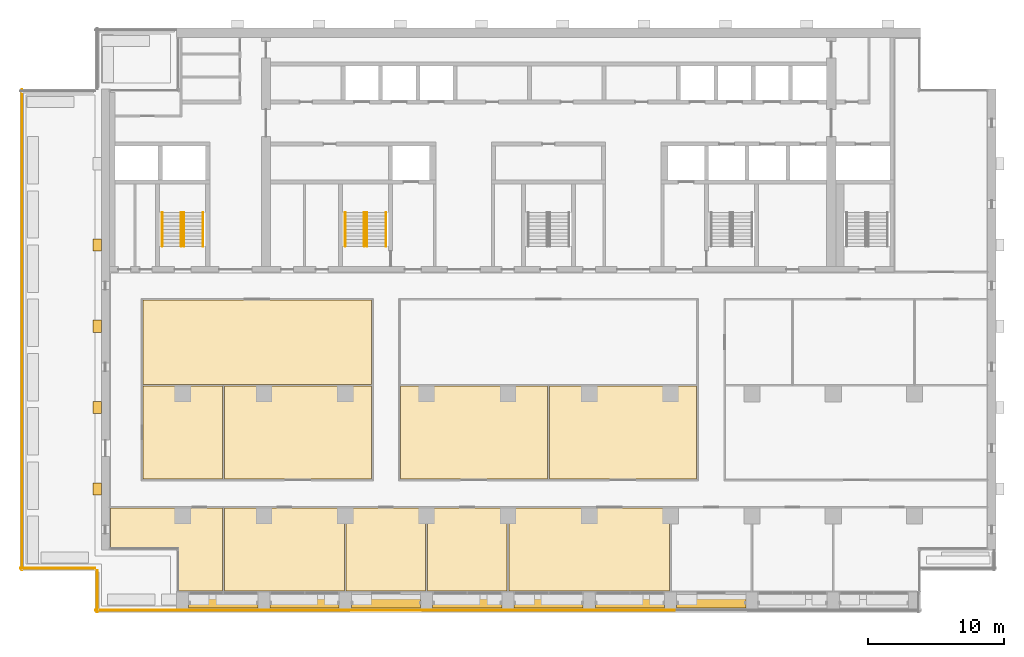
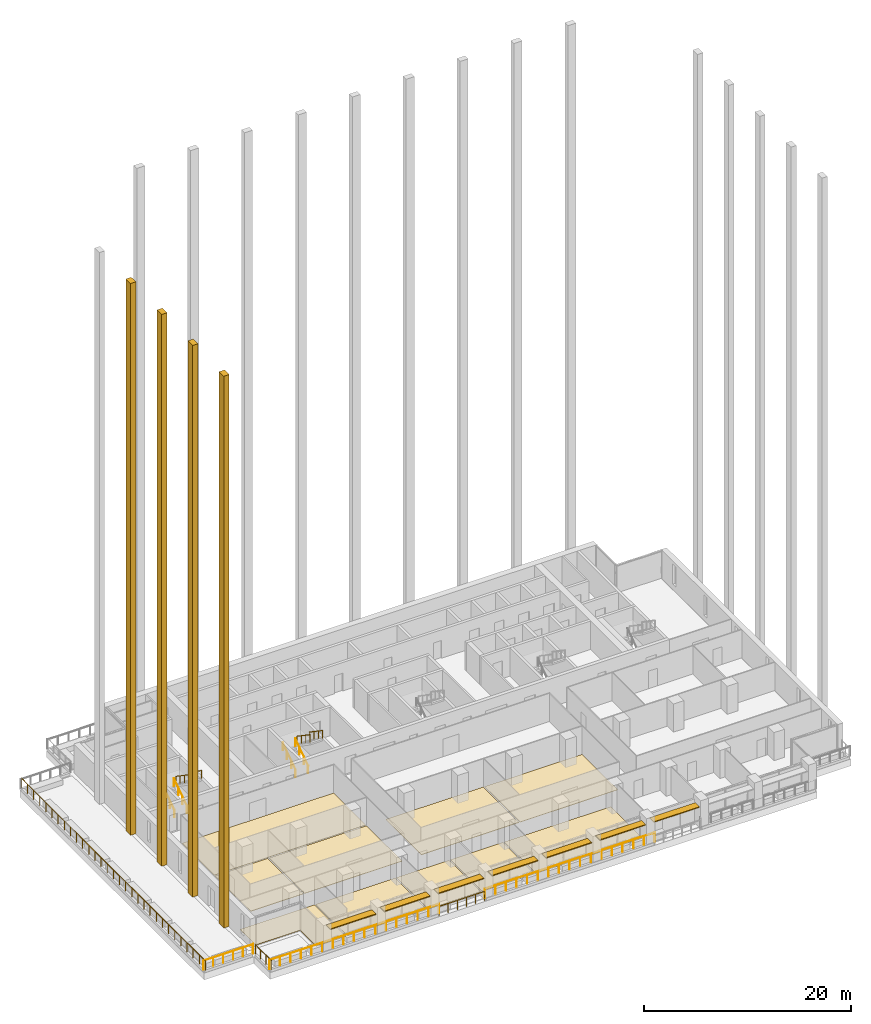
# One storey, part 16 of 19: 14 coverings, 14 railings, 7 shading devices, 2 elements without a shape of their own.
"""IFC4 building model written with IfcOpenShell, lengths in metres."""

from ifc_helpers import new_model, si_unit, direction, frame, origin, origin_2d, place, context, subcontext, project, spatial, polyline, rectangle, circle, outline, extrude, material, layer, layer_set, material_profile, profile_set, type_object, element, aggregate, save


model = new_model("IFC4")

# Units and contexts
model_context = context("Model", 3, precision=1e-05, world=origin(), true_north=direction((0.0, 1.0)))
body_context = subcontext(model_context, "Body", "Model", "MODEL_VIEW")
ifc_project = project(units=[si_unit("LENGTHUNIT", "METRE"), si_unit("AREAUNIT", "SQUARE_METRE"), si_unit("VOLUMEUNIT", "CUBIC_METRE"), si_unit("PLANEANGLEUNIT", "RADIAN"), si_unit("MASSUNIT", "GRAM", prefix="KILO")], contexts=[model_context])

# Site, building, storey
site_placement = place(None, origin())
site = spatial("IfcSite", under=ifc_project, at=site_placement, CompositionType="ELEMENT")
building_placement = place(site_placement, origin())
building = spatial("IfcBuilding", under=site, at=building_placement, Name="Calvaro Tower", CompositionType="ELEMENT")
storey_placement = place(building_placement, frame((0.0, 0.0, 166.75)))
storey = spatial("IfcBuildingStorey", under=building, at=storey_placement, Name="L41", CompositionType="ELEMENT", Elevation=166.75)

# Shading devices
ifc_material_1 = material(Name="Anodised aluminium", Category="aluminium")
ifc_material_profile = material_profile(ifc_material_1, rectangle(XDim=0.800048828125, YDim=0.10009765625, at=origin_2d()), Name="Brise-soleil blade 800 x 100")
ifc_profile_set = profile_set([ifc_material_profile], Name="Anodised aluminium")
shading_device_type = type_object("IfcShadingDeviceType", Name="Brise-soleil blade 800 x 100", PredefinedType="JALOUSIE", material=ifc_profile_set)
for number, where, z_axis, x_axis, name in (
    (1, (12.449951171875, 3.60009765625, 2.5), (1.0, 0.0, 0.0), (0.0, 1.0, 0.0), "Brise-soleil blade 1"),
    (2, (18.449951171875, 3.60009765625, 2.5), (1.0, 0.0, 0.0), (0.0, 1.0, 0.0), "Brise-soleil blade 2"),
    (3, (24.449951171875, 3.60009765625, 2.5), (1.0, 0.0, 0.0), (0.0, 1.0, 0.0), "Brise-soleil blade 3"),
    (4, (30.449951171875, 3.60009765625, 2.5), (1.0, 0.0, 0.0), (0.0, 1.0, 0.0), "Brise-soleil blade 4"),
    (5, (36.449951171875, 3.60009765625, 2.5), (1.0, 0.0, 0.0), (0.0, 1.0, 0.0), "Brise-soleil blade 5"),
    (6, (42.449951171875, 3.60009765625, 2.5), (1.0, 0.0, 0.0), (0.0, 1.0, 0.0), "Brise-soleil blade 6"),
    (7, (48.449951171875, 3.60009765625, 2.5), (1.0, 0.0, 0.0), (0.0, 1.0, 0.0), "Brise-soleil blade 7"),
):
    element("IfcShadingDevice", number, at=place(storey_placement, frame(where, z_axis=z_axis, x_axis=x_axis)), inside=storey, type_object=shading_device_type, Name=name, PredefinedType="JALOUSIE", context=body_context, shape_type="SweptSolid", body=[
        extrude(rectangle(XDim=0.800048828125, YDim=0.10009765625, at=origin_2d()), origin(), (0.0, 0.0, 1.0), 5.10009765625),
    ])

# Coverings
ifc_material_2 = material(Name="Cement screed with carpet tile finish")
ifc_layer_1 = layer(ifc_material_2, 0.050048828125)
ifc_layer_set_1 = layer_set([ifc_layer_1], Name="Cement screed with carpet tile finish")
covering_type_1 = type_object("IfcCoveringType", Name="Floor finish 50", PredefinedType="FLOORING", material=ifc_layer_set_1)
covering_1_placement = place(storey_placement, origin())
element("IfcCovering", 8, at=covering_1_placement, inside=storey, type_object=covering_type_1, Name="Floor finish 42.09", PredefinedType="FLOORING", context=body_context, shape_type="SweptSolid", body=[
    extrude(outline(polyline([(11.6201171875, 7.570068359375), (6.669921875, 7.570068359375), (6.669921875, 10.580078125), (14.929931640625, 10.580078125), (14.929931640625, 4.469970703125), (11.6201171875, 4.469970703125), (11.6201171875, 7.570068359375)])), origin(), (0.0, 0.0, 1.0), 0.050048828125),
])
covering_2_placement = place(storey_placement, origin())
element("IfcCovering", 9, at=covering_2_placement, inside=storey, type_object=covering_type_1, Name="Floor finish 42.02", PredefinedType="FLOORING", context=body_context, shape_type="SweptSolid", body=[
    extrude(outline(polyline([(15.070068359375, 4.469970703125), (15.070068359375, 10.580078125), (23.929931640625, 10.580078125), (23.929931640625, 4.469970703125), (15.070068359375, 4.469970703125)])), origin(), (0.0, 0.0, 1.0), 0.050048828125),
])
covering_3_placement = place(storey_placement, origin())
element("IfcCovering", 10, at=covering_3_placement, inside=storey, type_object=covering_type_1, Name="Floor finish 42.04", PredefinedType="FLOORING", context=body_context, shape_type="SweptSolid", body=[
    extrude(outline(polyline([(30.070068359375, 4.469970703125), (30.070068359375, 10.580078125), (35.929931640625, 10.580078125), (35.929931640625, 4.469970703125), (30.070068359375, 4.469970703125)])), origin(), (0.0, 0.0, 1.0), 0.050048828125),
])
covering_4_placement = place(storey_placement, origin())
element("IfcCovering", 11, at=covering_4_placement, inside=storey, type_object=covering_type_1, Name="Floor finish 42.05", PredefinedType="FLOORING", context=body_context, shape_type="SweptSolid", body=[
    extrude(outline(polyline([(36.070068359375, 4.469970703125), (36.070068359375, 10.580078125), (47.929931640625, 10.580078125), (47.929931640625, 4.469970703125), (36.070068359375, 4.469970703125)])), origin(), (0.0, 0.0, 1.0), 0.050048828125),
])
covering_5_placement = place(storey_placement, origin())
element("IfcCovering", 12, at=covering_5_placement, inside=storey, type_object=covering_type_1, Name="Floor finish 42.10", PredefinedType="FLOORING", context=body_context, shape_type="SweptSolid", body=[
    extrude(outline(polyline([(14.929931640625, 19.580078125), (14.929931640625, 12.719970703125), (9.070068359375, 12.719970703125), (9.070068359375, 19.580078125), (14.929931640625, 19.580078125)])), origin(), (0.0, 0.0, 1.0), 0.050048828125),
])
covering_6_placement = place(storey_placement, origin())
element("IfcCovering", 13, at=covering_6_placement, inside=storey, type_object=covering_type_1, Name="Floor finish 42.11", PredefinedType="FLOORING", context=body_context, shape_type="SweptSolid", body=[
    extrude(outline(polyline([(25.929931640625, 12.719970703125), (15.070068359375, 12.719970703125), (15.070068359375, 19.580078125), (25.929931640625, 19.580078125), (25.929931640625, 12.719970703125)])), origin(), (0.0, 0.0, 1.0), 0.050048828125),
])
covering_7_placement = place(storey_placement, origin())
element("IfcCovering", 14, at=covering_7_placement, inside=storey, type_object=covering_type_1, Name="Floor finish 42.15", PredefinedType="FLOORING", context=body_context, shape_type="SweptSolid", body=[
    extrude(outline(polyline([(25.929931640625, 25.929931640625), (25.929931640625, 19.719970703125), (9.070068359375, 19.719970703125), (9.070068359375, 25.929931640625), (25.929931640625, 25.929931640625)])), origin(), (0.0, 0.0, 1.0), 0.050048828125),
])
covering_8_placement = place(storey_placement, origin())
element("IfcCovering", 15, at=covering_8_placement, inside=storey, type_object=covering_type_1, Name="Floor finish 42.12", PredefinedType="FLOORING", context=body_context, shape_type="SweptSolid", body=[
    extrude(outline(polyline([(38.929931640625, 12.719970703125), (28.070068359375, 12.719970703125), (28.070068359375, 19.580078125), (38.929931640625, 19.580078125), (38.929931640625, 12.719970703125)])), origin(), (0.0, 0.0, 1.0), 0.050048828125),
])
covering_9_placement = place(storey_placement, origin())
element("IfcCovering", 16, at=covering_9_placement, inside=storey, type_object=covering_type_1, Name="Floor finish 42.13", PredefinedType="FLOORING", context=body_context, shape_type="SweptSolid", body=[
    extrude(outline(polyline([(49.929931640625, 12.719970703125), (39.070068359375, 12.719970703125), (39.070068359375, 19.580078125), (49.929931640625, 19.580078125), (49.929931640625, 12.719970703125)])), origin(), (0.0, 0.0, 1.0), 0.050048828125),
])
covering_10_placement = place(storey_placement, origin())
element("IfcCovering", 17, at=covering_10_placement, inside=storey, type_object=covering_type_1, Name="Floor finish 42.03", PredefinedType="FLOORING", context=body_context, shape_type="SweptSolid", body=[
    extrude(outline(polyline([(29.929931640625, 10.580078125), (29.929931640625, 4.469970703125), (24.070068359375, 4.469970703125), (24.070068359375, 10.580078125), (29.929931640625, 10.580078125)])), origin(), (0.0, 0.0, 1.0), 0.050048828125),
])

# Railings
ifc_material_3 = material(Name="Stainless steel", Category="steel")
railing_type_1 = type_object("IfcRailingType", Name="Guard 1100", PredefinedType="GUARDRAIL", material=ifc_material_3)
railing_1_placement = place(storey_placement, frame((5.699951171875, 2.89990234375, 0.300048828125)))
element("IfcRailing", 18, at=railing_1_placement, inside=storey, type_object=railing_type_1, Name="Terrace guard", PredefinedType="GUARDRAIL", context=body_context, shape_type="SweptSolid", body=[
    extrude(circle(Radius=0.02392578125, at=origin_2d()), frame((0.0, 0.0, 1.076171875), z_axis=(0.0, 1.0, 0.0), x_axis=(-1.0, 0.0, 0.0)), (0.0, 0.0, 1.0), 3.10009765625),
    extrude(circle(Radius=0.02099609375, at=origin_2d()), frame((0.0, 0.02099609375, 0.0)), (0.0, 0.0, 1.0), 1.052001953125),
    extrude(circle(Radius=0.02099609375, at=origin_2d()), frame((0.0, 1.033447265625, 0.0)), (0.0, 0.0, 1.0), 1.052001953125),
    extrude(circle(Radius=0.02099609375, at=origin_2d()), frame((0.0, 2.066650390625, 0.0)), (0.0, 0.0, 1.0), 1.052001953125),
    extrude(circle(Radius=0.02099609375, at=origin_2d()), frame((0.0, 3.0791015625, 0.0)), (0.0, 0.0, 1.0), 1.052001953125),
])
railing_2_placement = place(storey_placement, frame((5.550048828125, 6.14990234375, 0.300048828125)))
element("IfcRailing", 19, at=railing_2_placement, inside=storey, type_object=railing_type_1, Name="Terrace guard", PredefinedType="GUARDRAIL", context=body_context, shape_type="SweptSolid", body=[
    extrude(circle(Radius=0.02392578125, at=origin_2d()), frame((0.0, 0.0, 1.076171875), z_axis=(-1.0, 0.0, 0.0), x_axis=(0.0, -1.0, 0.0)), (0.0, 0.0, 1.0), 5.550048828125),
    extrude(circle(Radius=0.02099609375, at=origin_2d()), frame((-0.02099609375, 0.0, 0.0)), (0.0, 0.0, 1.0), 1.052001953125),
    extrude(circle(Radius=0.02099609375, at=origin_2d()), frame((-1.110107421875, 0.0, 0.0)), (0.0, 0.0, 1.0), 1.052001953125),
    extrude(circle(Radius=0.02099609375, at=origin_2d()), frame((-2.219970703125, 0.0, 0.0)), (0.0, 0.0, 1.0), 1.052001953125),
    extrude(circle(Radius=0.02099609375, at=origin_2d()), frame((-3.330078125, 0.0, 0.0)), (0.0, 0.0, 1.0), 1.052001953125),
    extrude(circle(Radius=0.02099609375, at=origin_2d()), frame((-4.43994140625, 0.0, 0.0)), (0.0, 0.0, 1.0), 1.052001953125),
    extrude(circle(Radius=0.02099609375, at=origin_2d()), frame((-5.529052734375, 0.0, 0.0)), (0.0, 0.0, 1.0), 1.052001953125),
])
railing_3_placement = place(storey_placement, frame((0.14990234375, 6.0, 0.300048828125)))
element("IfcRailing", 20, at=railing_3_placement, inside=storey, type_object=railing_type_1, Name="Terrace guard", PredefinedType="GUARDRAIL", context=body_context, shape_type="SweptSolid", body=[
    extrude(circle(Radius=0.02392578125, at=origin_2d()), frame((0.0, 0.0, 1.076171875), z_axis=(0.0, 1.0, 0.0), x_axis=(-1.0, 0.0, 0.0)), (0.0, 0.0, 1.0), 35.5),
    extrude(circle(Radius=0.02099609375, at=origin_2d()), frame((0.0, 0.02099609375, 0.0)), (0.0, 0.0, 1.0), 1.052001953125),
    extrude(circle(Radius=0.02099609375, at=origin_2d()), frame((0.0, 1.183349609375, 0.0)), (0.0, 0.0, 1.0), 1.052001953125),
    extrude(circle(Radius=0.02099609375, at=origin_2d()), frame((0.0, 2.36669921875, 0.0)), (0.0, 0.0, 1.0), 1.052001953125),
    extrude(circle(Radius=0.02099609375, at=origin_2d()), frame((0.0, 3.550048828125, 0.0)), (0.0, 0.0, 1.0), 1.052001953125),
    extrude(circle(Radius=0.02099609375, at=origin_2d()), frame((0.0, 4.7333984375, 0.0)), (0.0, 0.0, 1.0), 1.052001953125),
    extrude(circle(Radius=0.02099609375, at=origin_2d()), frame((0.0, 5.916748046875, 0.0)), (0.0, 0.0, 1.0), 1.052001953125),
    extrude(circle(Radius=0.02099609375, at=origin_2d()), frame((0.0, 7.10009765625, 0.0)), (0.0, 0.0, 1.0), 1.052001953125),
    extrude(circle(Radius=0.02099609375, at=origin_2d()), frame((0.0, 8.283447265625, 0.0)), (0.0, 0.0, 1.0), 1.052001953125),
    extrude(circle(Radius=0.02099609375, at=origin_2d()), frame((0.0, 9.466552734375, 0.0)), (0.0, 0.0, 1.0), 1.052001953125),
    extrude(circle(Radius=0.02099609375, at=origin_2d()), frame((0.0, 10.64990234375, 0.0)), (0.0, 0.0, 1.0), 1.052001953125),
    extrude(circle(Radius=0.02099609375, at=origin_2d()), frame((0.0, 11.833251953125, 0.0)), (0.0, 0.0, 1.0), 1.052001953125),
    extrude(circle(Radius=0.02099609375, at=origin_2d()), frame((0.0, 13.0166015625, 0.0)), (0.0, 0.0, 1.0), 1.052001953125),
    extrude(circle(Radius=0.02099609375, at=origin_2d()), frame((0.0, 14.199951171875, 0.0)), (0.0, 0.0, 1.0), 1.052001953125),
    extrude(circle(Radius=0.02099609375, at=origin_2d()), frame((0.0, 15.38330078125, 0.0)), (0.0, 0.0, 1.0), 1.052001953125),
    extrude(circle(Radius=0.02099609375, at=origin_2d()), frame((0.0, 16.566650390625, 0.0)), (0.0, 0.0, 1.0), 1.052001953125),
    extrude(circle(Radius=0.02099609375, at=origin_2d()), frame((0.0, 17.75, 0.0)), (0.0, 0.0, 1.0), 1.052001953125),
    extrude(circle(Radius=0.02099609375, at=origin_2d()), frame((0.0, 18.933349609375, 0.0)), (0.0, 0.0, 1.0), 1.052001953125),
    extrude(circle(Radius=0.02099609375, at=origin_2d()), frame((0.0, 20.11669921875, 0.0)), (0.0, 0.0, 1.0), 1.052001953125),
    extrude(circle(Radius=0.02099609375, at=origin_2d()), frame((0.0, 21.300048828125, 0.0)), (0.0, 0.0, 1.0), 1.052001953125),
    extrude(circle(Radius=0.02099609375, at=origin_2d()), frame((0.0, 22.4833984375, 0.0)), (0.0, 0.0, 1.0), 1.052001953125),
    extrude(circle(Radius=0.02099609375, at=origin_2d()), frame((0.0, 23.666748046875, 0.0)), (0.0, 0.0, 1.0), 1.052001953125),
    extrude(circle(Radius=0.02099609375, at=origin_2d()), frame((0.0, 24.85009765625, 0.0)), (0.0, 0.0, 1.0), 1.052001953125),
    extrude(circle(Radius=0.02099609375, at=origin_2d()), frame((0.0, 26.033447265625, 0.0)), (0.0, 0.0, 1.0), 1.052001953125),
    extrude(circle(Radius=0.02099609375, at=origin_2d()), frame((0.0, 27.216552734375, 0.0)), (0.0, 0.0, 1.0), 1.052001953125),
    extrude(circle(Radius=0.02099609375, at=origin_2d()), frame((0.0, 28.39990234375, 0.0)), (0.0, 0.0, 1.0), 1.052001953125),
    extrude(circle(Radius=0.02099609375, at=origin_2d()), frame((0.0, 29.583251953125, 0.0)), (0.0, 0.0, 1.0), 1.052001953125),
    extrude(circle(Radius=0.02099609375, at=origin_2d()), frame((0.0, 30.7666015625, 0.0)), (0.0, 0.0, 1.0), 1.052001953125),
    extrude(circle(Radius=0.02099609375, at=origin_2d()), frame((0.0, 31.949951171875, 0.0)), (0.0, 0.0, 1.0), 1.052001953125),
    extrude(circle(Radius=0.02099609375, at=origin_2d()), frame((0.0, 33.13330078125, 0.0)), (0.0, 0.0, 1.0), 1.052001953125),
    extrude(circle(Radius=0.02099609375, at=origin_2d()), frame((0.0, 34.316650390625, 0.0)), (0.0, 0.0, 1.0), 1.052001953125),
    extrude(circle(Radius=0.02099609375, at=origin_2d()), frame((0.0, 35.47900390625, 0.0)), (0.0, 0.0, 1.0), 1.052001953125),
])
railing_4_placement = place(storey_placement, frame((5.550048828125, 3.050048828125, 0.300048828125)))
element("IfcRailing", 21, at=railing_4_placement, inside=storey, type_object=railing_type_1, Name="Terrace guard", PredefinedType="GUARDRAIL", context=body_context, shape_type="SweptSolid", body=[
    extrude(circle(Radius=0.02392578125, at=origin_2d()), frame((0.0, 0.0, 1.076171875), z_axis=(1.0, 0.0, 0.0), x_axis=(0.0, 1.0, 0.0)), (0.0, 0.0, 1.0), 18.89990234375),
    extrude(circle(Radius=0.02099609375, at=origin_2d()), frame((0.02099609375, 0.0, 0.0)), (0.0, 0.0, 1.0), 1.052001953125),
    extrude(circle(Radius=0.02099609375, at=origin_2d()), frame((1.18115234375, 0.0, 0.0)), (0.0, 0.0, 1.0), 1.052001953125),
    extrude(circle(Radius=0.02099609375, at=origin_2d()), frame((2.362548828125, 0.0, 0.0)), (0.0, 0.0, 1.0), 1.052001953125),
    extrude(circle(Radius=0.02099609375, at=origin_2d()), frame((3.543701171875, 0.0, 0.0)), (0.0, 0.0, 1.0), 1.052001953125),
    extrude(circle(Radius=0.02099609375, at=origin_2d()), frame((4.72509765625, 0.0, 0.0)), (0.0, 0.0, 1.0), 1.052001953125),
    extrude(circle(Radius=0.02099609375, at=origin_2d()), frame((5.90625, 0.0, 0.0)), (0.0, 0.0, 1.0), 1.052001953125),
    extrude(circle(Radius=0.02099609375, at=origin_2d()), frame((7.08740234375, 0.0, 0.0)), (0.0, 0.0, 1.0), 1.052001953125),
    extrude(circle(Radius=0.02099609375, at=origin_2d()), frame((8.268798828125, 0.0, 0.0)), (0.0, 0.0, 1.0), 1.052001953125),
    extrude(circle(Radius=0.02099609375, at=origin_2d()), frame((9.449951171875, 0.0, 0.0)), (0.0, 0.0, 1.0), 1.052001953125),
    extrude(circle(Radius=0.02099609375, at=origin_2d()), frame((10.631103515625, 0.0, 0.0)), (0.0, 0.0, 1.0), 1.052001953125),
    extrude(circle(Radius=0.02099609375, at=origin_2d()), frame((11.8125, 0.0, 0.0)), (0.0, 0.0, 1.0), 1.052001953125),
    extrude(circle(Radius=0.02099609375, at=origin_2d()), frame((12.99365234375, 0.0, 0.0)), (0.0, 0.0, 1.0), 1.052001953125),
    extrude(circle(Radius=0.02099609375, at=origin_2d()), frame((14.1748046875, 0.0, 0.0)), (0.0, 0.0, 1.0), 1.052001953125),
    extrude(circle(Radius=0.02099609375, at=origin_2d()), frame((15.356201171875, 0.0, 0.0)), (0.0, 0.0, 1.0), 1.052001953125),
    extrude(circle(Radius=0.02099609375, at=origin_2d()), frame((16.537353515625, 0.0, 0.0)), (0.0, 0.0, 1.0), 1.052001953125),
    extrude(circle(Radius=0.02099609375, at=origin_2d()), frame((17.71875, 0.0, 0.0)), (0.0, 0.0, 1.0), 1.052001953125),
    extrude(circle(Radius=0.02099609375, at=origin_2d()), frame((18.87890625, 0.0, 0.0)), (0.0, 0.0, 1.0), 1.052001953125),
])
railing_5_placement = place(storey_placement, frame((24.449951171875, 3.050048828125, 0.0)))
element("IfcRailing", 22, at=railing_5_placement, inside=storey, type_object=railing_type_1, Name="Terrace guard", PredefinedType="GUARDRAIL", context=body_context, shape_type="SweptSolid", body=[
    extrude(circle(Radius=0.02392578125, at=origin_2d()), frame((0.0, 0.0, 1.076171875), z_axis=(1.0, 0.0, 0.0), x_axis=(0.0, 1.0, 0.0)), (0.0, 0.0, 1.0), 5.10009765625),
    extrude(circle(Radius=0.02099609375, at=origin_2d()), frame((0.02099609375, 0.0, 0.0)), (0.0, 0.0, 1.0), 1.052001953125),
    extrude(circle(Radius=0.02099609375, at=origin_2d()), frame((1.02001953125, 0.0, 0.0)), (0.0, 0.0, 1.0), 1.052001953125),
    extrude(circle(Radius=0.02099609375, at=origin_2d()), frame((2.0400390625, 0.0, 0.0)), (0.0, 0.0, 1.0), 1.052001953125),
    extrude(circle(Radius=0.02099609375, at=origin_2d()), frame((3.06005859375, 0.0, 0.0)), (0.0, 0.0, 1.0), 1.052001953125),
    extrude(circle(Radius=0.02099609375, at=origin_2d()), frame((4.080078125, 0.0, 0.0)), (0.0, 0.0, 1.0), 1.052001953125),
    extrude(circle(Radius=0.02099609375, at=origin_2d()), frame((5.0791015625, 0.0, 0.0)), (0.0, 0.0, 1.0), 1.052001953125),
])
railing_6_placement = place(storey_placement, frame((29.550048828125, 3.050048828125, 0.300048828125)))
element("IfcRailing", 23, at=railing_6_placement, inside=storey, type_object=railing_type_1, Name="Terrace guard", PredefinedType="GUARDRAIL", context=body_context, shape_type="SweptSolid", body=[
    extrude(circle(Radius=0.02392578125, at=origin_2d()), frame((0.0, 0.0, 1.076171875), z_axis=(1.0, 0.0, 0.0), x_axis=(0.0, 1.0, 0.0)), (0.0, 0.0, 1.0), 18.89990234375),
    extrude(circle(Radius=0.02099609375, at=origin_2d()), frame((0.02099609375, 0.0, 0.0)), (0.0, 0.0, 1.0), 1.052001953125),
    extrude(circle(Radius=0.02099609375, at=origin_2d()), frame((1.18115234375, 0.0, 0.0)), (0.0, 0.0, 1.0), 1.052001953125),
    extrude(circle(Radius=0.02099609375, at=origin_2d()), frame((2.362548828125, 0.0, 0.0)), (0.0, 0.0, 1.0), 1.052001953125),
    extrude(circle(Radius=0.02099609375, at=origin_2d()), frame((3.543701171875, 0.0, 0.0)), (0.0, 0.0, 1.0), 1.052001953125),
    extrude(circle(Radius=0.02099609375, at=origin_2d()), frame((4.72509765625, 0.0, 0.0)), (0.0, 0.0, 1.0), 1.052001953125),
    extrude(circle(Radius=0.02099609375, at=origin_2d()), frame((5.90625, 0.0, 0.0)), (0.0, 0.0, 1.0), 1.052001953125),
    extrude(circle(Radius=0.02099609375, at=origin_2d()), frame((7.08740234375, 0.0, 0.0)), (0.0, 0.0, 1.0), 1.052001953125),
    extrude(circle(Radius=0.02099609375, at=origin_2d()), frame((8.268798828125, 0.0, 0.0)), (0.0, 0.0, 1.0), 1.052001953125),
    extrude(circle(Radius=0.02099609375, at=origin_2d()), frame((9.449951171875, 0.0, 0.0)), (0.0, 0.0, 1.0), 1.052001953125),
    extrude(circle(Radius=0.02099609375, at=origin_2d()), frame((10.631103515625, 0.0, 0.0)), (0.0, 0.0, 1.0), 1.052001953125),
    extrude(circle(Radius=0.02099609375, at=origin_2d()), frame((11.8125, 0.0, 0.0)), (0.0, 0.0, 1.0), 1.052001953125),
    extrude(circle(Radius=0.02099609375, at=origin_2d()), frame((12.99365234375, 0.0, 0.0)), (0.0, 0.0, 1.0), 1.052001953125),
    extrude(circle(Radius=0.02099609375, at=origin_2d()), frame((14.1748046875, 0.0, 0.0)), (0.0, 0.0, 1.0), 1.052001953125),
    extrude(circle(Radius=0.02099609375, at=origin_2d()), frame((15.356201171875, 0.0, 0.0)), (0.0, 0.0, 1.0), 1.052001953125),
    extrude(circle(Radius=0.02099609375, at=origin_2d()), frame((16.537353515625, 0.0, 0.0)), (0.0, 0.0, 1.0), 1.052001953125),
    extrude(circle(Radius=0.02099609375, at=origin_2d()), frame((17.71875, 0.0, 0.0)), (0.0, 0.0, 1.0), 1.052001953125),
    extrude(circle(Radius=0.02099609375, at=origin_2d()), frame((18.87890625, 0.0, 0.0)), (0.0, 0.0, 1.0), 1.052001953125),
])

# Stair, railings
ifc_material_4 = material(Name="Concrete C40/50", Category="concrete")
stair_type = type_object("IfcStairType", Name="Exit stair 1400 2 flights", PredefinedType="HALF_TURN_STAIR", material=ifc_material_4)
stair_1_placement = place(storey_placement, origin())
stair_1 = element("IfcStair", 24, at=stair_1_placement, inside=storey, type_object=stair_type, Name="Exit stair S1", PredefinedType="HALF_TURN_STAIR")
ifc_material_5 = material(Name="Stainless steel", Category="steel")
railing_type_2 = type_object("IfcRailingType", Name="Stair handrail", PredefinedType="HANDRAIL", material=ifc_material_5)
railing_7_placement = place(storey_placement, frame((11.89990234375, 29.89990234375, 0.17041015625)))
railing_7 = element("IfcRailing", 25, at=railing_7_placement, type_object=railing_type_2, Name="Exit stair 1 handrail", PredefinedType="HANDRAIL", context=body_context, shape_type="SweptSolid", body=[
    extrude(circle(Radius=0.02392578125, at=origin_2d()), frame((0.0, 0.0, 0.8759765625), z_axis=(0.0, 0.826220514629, 0.563346839174), x_axis=(-1.0, 0.0, 0.0)), (0.0, 0.0, 1.0), 3.02587890625),
    extrude(circle(Radius=0.02099609375, at=origin_2d()), frame((0.0, 0.017333984375, 0.01171875)), (0.0, 0.0, 1.0), 0.851806640625),
    extrude(circle(Radius=0.02099609375, at=origin_2d()), frame((0.0, 0.833251953125, 0.568115234375)), (0.0, 0.0, 1.0), 0.851806640625),
    extrude(circle(Radius=0.02099609375, at=origin_2d()), frame((0.0, 1.666748046875, 1.136474609375)), (0.0, 0.0, 1.0), 0.851806640625),
    extrude(circle(Radius=0.02099609375, at=origin_2d()), frame((0.0, 2.482666015625, 1.69287109375)), (0.0, 0.0, 1.0), 0.851806640625),
])
railing_8_placement = place(storey_placement, frame((10.5, 29.89990234375, 0.17041015625)))
railing_8 = element("IfcRailing", 26, at=railing_8_placement, type_object=railing_type_2, Name="Exit stair 1 handrail", PredefinedType="HANDRAIL", context=body_context, shape_type="SweptSolid", body=[
    extrude(circle(Radius=0.02392578125, at=origin_2d()), frame((0.0, 0.0, 0.8759765625), z_axis=(0.0, 0.826220514629, 0.563346839174), x_axis=(-1.0, 0.0, 0.0)), (0.0, 0.0, 1.0), 3.02587890625),
    extrude(circle(Radius=0.02099609375, at=origin_2d()), frame((0.0, 0.017333984375, 0.01171875)), (0.0, 0.0, 1.0), 0.851806640625),
    extrude(circle(Radius=0.02099609375, at=origin_2d()), frame((0.0, 0.833251953125, 0.568115234375)), (0.0, 0.0, 1.0), 0.851806640625),
    extrude(circle(Radius=0.02099609375, at=origin_2d()), frame((0.0, 1.666748046875, 1.136474609375)), (0.0, 0.0, 1.0), 0.851806640625),
    extrude(circle(Radius=0.02099609375, at=origin_2d()), frame((0.0, 2.482666015625, 1.69287109375)), (0.0, 0.0, 1.0), 0.851806640625),
])
railing_9_placement = place(storey_placement, frame((12.10009765625, 32.39990234375, 2.04541015625)))
railing_9 = element("IfcRailing", 27, at=railing_9_placement, type_object=railing_type_2, Name="Exit stair 1 handrail", PredefinedType="HANDRAIL", context=body_context, shape_type="SweptSolid", body=[
    extrude(circle(Radius=0.02392578125, at=origin_2d()), frame((0.0, 0.0, 0.8759765625), z_axis=(0.0, -0.826220514629, 0.563346839174), x_axis=(1.0, 0.0, 0.0)), (0.0, 0.0, 1.0), 3.02587890625),
    extrude(circle(Radius=0.02099609375, at=origin_2d()), frame((0.0, -0.017333984375, 0.01171875)), (0.0, 0.0, 1.0), 0.851806640625),
    extrude(circle(Radius=0.02099609375, at=origin_2d()), frame((0.0, -0.833251953125, 0.568115234375)), (0.0, 0.0, 1.0), 0.851806640625),
    extrude(circle(Radius=0.02099609375, at=origin_2d()), frame((0.0, -1.666748046875, 1.136474609375)), (0.0, 0.0, 1.0), 0.851806640625),
    extrude(circle(Radius=0.02099609375, at=origin_2d()), frame((0.0, -2.482666015625, 1.69287109375)), (0.0, 0.0, 1.0), 0.851806640625),
])
railing_10_placement = place(storey_placement, frame((13.5, 32.39990234375, 2.04541015625)))
railing_10 = element("IfcRailing", 28, at=railing_10_placement, type_object=railing_type_2, Name="Exit stair 1 handrail", PredefinedType="HANDRAIL", context=body_context, shape_type="SweptSolid", body=[
    extrude(circle(Radius=0.02392578125, at=origin_2d()), frame((0.0, 0.0, 0.8759765625), z_axis=(0.0, -0.826220514629, 0.563346839174), x_axis=(1.0, 0.0, 0.0)), (0.0, 0.0, 1.0), 3.02587890625),
    extrude(circle(Radius=0.02099609375, at=origin_2d()), frame((0.0, -0.017333984375, 0.01171875)), (0.0, 0.0, 1.0), 0.851806640625),
    extrude(circle(Radius=0.02099609375, at=origin_2d()), frame((0.0, -0.833251953125, 0.568115234375)), (0.0, 0.0, 1.0), 0.851806640625),
    extrude(circle(Radius=0.02099609375, at=origin_2d()), frame((0.0, -1.666748046875, 1.136474609375)), (0.0, 0.0, 1.0), 0.851806640625),
    extrude(circle(Radius=0.02099609375, at=origin_2d()), frame((0.0, -2.482666015625, 1.69287109375)), (0.0, 0.0, 1.0), 0.851806640625),
])
aggregate(stair_1, [railing_7, railing_8, railing_9, railing_10])

stair_2_placement = place(storey_placement, origin())
stair_2 = element("IfcStair", 29, at=stair_2_placement, inside=storey, type_object=stair_type, Name="Exit stair S2", PredefinedType="HALF_TURN_STAIR")
railing_11_placement = place(storey_placement, frame((25.39990234375, 29.89990234375, 0.17041015625)))
railing_11 = element("IfcRailing", 30, at=railing_11_placement, type_object=railing_type_2, Name="Exit stair 2 handrail", PredefinedType="HANDRAIL", context=body_context, shape_type="SweptSolid", body=[
    extrude(circle(Radius=0.02392578125, at=origin_2d()), frame((0.0, 0.0, 0.8759765625), z_axis=(0.0, 0.826220514629, 0.563346839174), x_axis=(-1.0, 0.0, 0.0)), (0.0, 0.0, 1.0), 3.02587890625),
    extrude(circle(Radius=0.02099609375, at=origin_2d()), frame((0.0, 0.017333984375, 0.01171875)), (0.0, 0.0, 1.0), 0.851806640625),
    extrude(circle(Radius=0.02099609375, at=origin_2d()), frame((0.0, 0.833251953125, 0.568115234375)), (0.0, 0.0, 1.0), 0.851806640625),
    extrude(circle(Radius=0.02099609375, at=origin_2d()), frame((0.0, 1.666748046875, 1.136474609375)), (0.0, 0.0, 1.0), 0.851806640625),
    extrude(circle(Radius=0.02099609375, at=origin_2d()), frame((0.0, 2.482666015625, 1.69287109375)), (0.0, 0.0, 1.0), 0.851806640625),
])
railing_12_placement = place(storey_placement, frame((24.0, 29.89990234375, 0.17041015625)))
railing_12 = element("IfcRailing", 31, at=railing_12_placement, type_object=railing_type_2, Name="Exit stair 2 handrail", PredefinedType="HANDRAIL", context=body_context, shape_type="SweptSolid", body=[
    extrude(circle(Radius=0.02392578125, at=origin_2d()), frame((0.0, 0.0, 0.8759765625), z_axis=(0.0, 0.826220514629, 0.563346839174), x_axis=(-1.0, 0.0, 0.0)), (0.0, 0.0, 1.0), 3.02587890625),
    extrude(circle(Radius=0.02099609375, at=origin_2d()), frame((0.0, 0.017333984375, 0.01171875)), (0.0, 0.0, 1.0), 0.851806640625),
    extrude(circle(Radius=0.02099609375, at=origin_2d()), frame((0.0, 0.833251953125, 0.568115234375)), (0.0, 0.0, 1.0), 0.851806640625),
    extrude(circle(Radius=0.02099609375, at=origin_2d()), frame((0.0, 1.666748046875, 1.136474609375)), (0.0, 0.0, 1.0), 0.851806640625),
    extrude(circle(Radius=0.02099609375, at=origin_2d()), frame((0.0, 2.482666015625, 1.69287109375)), (0.0, 0.0, 1.0), 0.851806640625),
])
railing_13_placement = place(storey_placement, frame((25.60009765625, 32.39990234375, 2.04541015625)))
railing_13 = element("IfcRailing", 32, at=railing_13_placement, type_object=railing_type_2, Name="Exit stair 2 handrail", PredefinedType="HANDRAIL", context=body_context, shape_type="SweptSolid", body=[
    extrude(circle(Radius=0.02392578125, at=origin_2d()), frame((0.0, 0.0, 0.8759765625), z_axis=(0.0, -0.826220514629, 0.563346839174), x_axis=(1.0, 0.0, 0.0)), (0.0, 0.0, 1.0), 3.02587890625),
    extrude(circle(Radius=0.02099609375, at=origin_2d()), frame((0.0, -0.017333984375, 0.01171875)), (0.0, 0.0, 1.0), 0.851806640625),
    extrude(circle(Radius=0.02099609375, at=origin_2d()), frame((0.0, -0.833251953125, 0.568115234375)), (0.0, 0.0, 1.0), 0.851806640625),
    extrude(circle(Radius=0.02099609375, at=origin_2d()), frame((0.0, -1.666748046875, 1.136474609375)), (0.0, 0.0, 1.0), 0.851806640625),
    extrude(circle(Radius=0.02099609375, at=origin_2d()), frame((0.0, -2.482666015625, 1.69287109375)), (0.0, 0.0, 1.0), 0.851806640625),
])
railing_14_placement = place(storey_placement, frame((27.0, 32.39990234375, 2.04541015625)))
railing_14 = element("IfcRailing", 33, at=railing_14_placement, type_object=railing_type_2, Name="Exit stair 2 handrail", PredefinedType="HANDRAIL", context=body_context, shape_type="SweptSolid", body=[
    extrude(circle(Radius=0.02392578125, at=origin_2d()), frame((0.0, 0.0, 0.8759765625), z_axis=(0.0, -0.826220514629, 0.563346839174), x_axis=(1.0, 0.0, 0.0)), (0.0, 0.0, 1.0), 3.02587890625),
    extrude(circle(Radius=0.02099609375, at=origin_2d()), frame((0.0, -0.017333984375, 0.01171875)), (0.0, 0.0, 1.0), 0.851806640625),
    extrude(circle(Radius=0.02099609375, at=origin_2d()), frame((0.0, -0.833251953125, 0.568115234375)), (0.0, 0.0, 1.0), 0.851806640625),
    extrude(circle(Radius=0.02099609375, at=origin_2d()), frame((0.0, -1.666748046875, 1.136474609375)), (0.0, 0.0, 1.0), 0.851806640625),
    extrude(circle(Radius=0.02099609375, at=origin_2d()), frame((0.0, -2.482666015625, 1.69287109375)), (0.0, 0.0, 1.0), 0.851806640625),
])
aggregate(stair_2, [railing_11, railing_12, railing_13, railing_14])

# Coverings
ifc_material_6 = material(Name="Reconstituted stone", Category="masonry")
ifc_layer_2 = layer(ifc_material_6, 0.60009765625)
ifc_layer_set_2 = layer_set([ifc_layer_2], Name="Reconstituted stone")
covering_type_2 = type_object("IfcCoveringType", Name="Stone pilaster 900 x 600", PredefinedType="CLADDING", material=ifc_layer_set_2)
covering_11_placement = place(storey_placement, frame((0.0, 0.0, 0.050048828125)))
element("IfcCovering", 34, at=covering_11_placement, inside=storey, type_object=covering_type_2, Name="Stone pilaster", PredefinedType="CLADDING", context=body_context, shape_type="SweptSolid", body=[
    extrude(outline(polyline([(5.39990234375, 11.550048828125), (6.0, 11.550048828125), (6.0, 12.449951171875), (5.39990234375, 12.449951171875), (5.39990234375, 11.550048828125)])), origin(), (0.0, 0.0, 1.0), 64.949951171875),
])
covering_12_placement = place(storey_placement, frame((0.0, 0.0, 0.050048828125)))
element("IfcCovering", 35, at=covering_12_placement, inside=storey, type_object=covering_type_2, Name="Stone pilaster", PredefinedType="CLADDING", context=body_context, shape_type="SweptSolid", body=[
    extrude(outline(polyline([(5.39990234375, 17.550048828125), (6.0, 17.550048828125), (6.0, 18.449951171875), (5.39990234375, 18.449951171875), (5.39990234375, 17.550048828125)])), origin(), (0.0, 0.0, 1.0), 64.949951171875),
])
covering_13_placement = place(storey_placement, frame((0.0, 0.0, 0.050048828125)))
element("IfcCovering", 36, at=covering_13_placement, inside=storey, type_object=covering_type_2, Name="Stone pilaster", PredefinedType="CLADDING", context=body_context, shape_type="SweptSolid", body=[
    extrude(outline(polyline([(5.39990234375, 23.550048828125), (6.0, 23.550048828125), (6.0, 24.449951171875), (5.39990234375, 24.449951171875), (5.39990234375, 23.550048828125)])), origin(), (0.0, 0.0, 1.0), 64.949951171875),
])
covering_14_placement = place(storey_placement, frame((0.0, 0.0, 0.050048828125)))
element("IfcCovering", 37, at=covering_14_placement, inside=storey, type_object=covering_type_2, Name="Stone pilaster", PredefinedType="CLADDING", context=body_context, shape_type="SweptSolid", body=[
    extrude(outline(polyline([(5.39990234375, 29.550048828125), (6.0, 29.550048828125), (6.0, 30.449951171875), (5.39990234375, 30.449951171875), (5.39990234375, 29.550048828125)])), origin(), (0.0, 0.0, 1.0), 64.949951171875),
])

save(model, "model.ifc")
